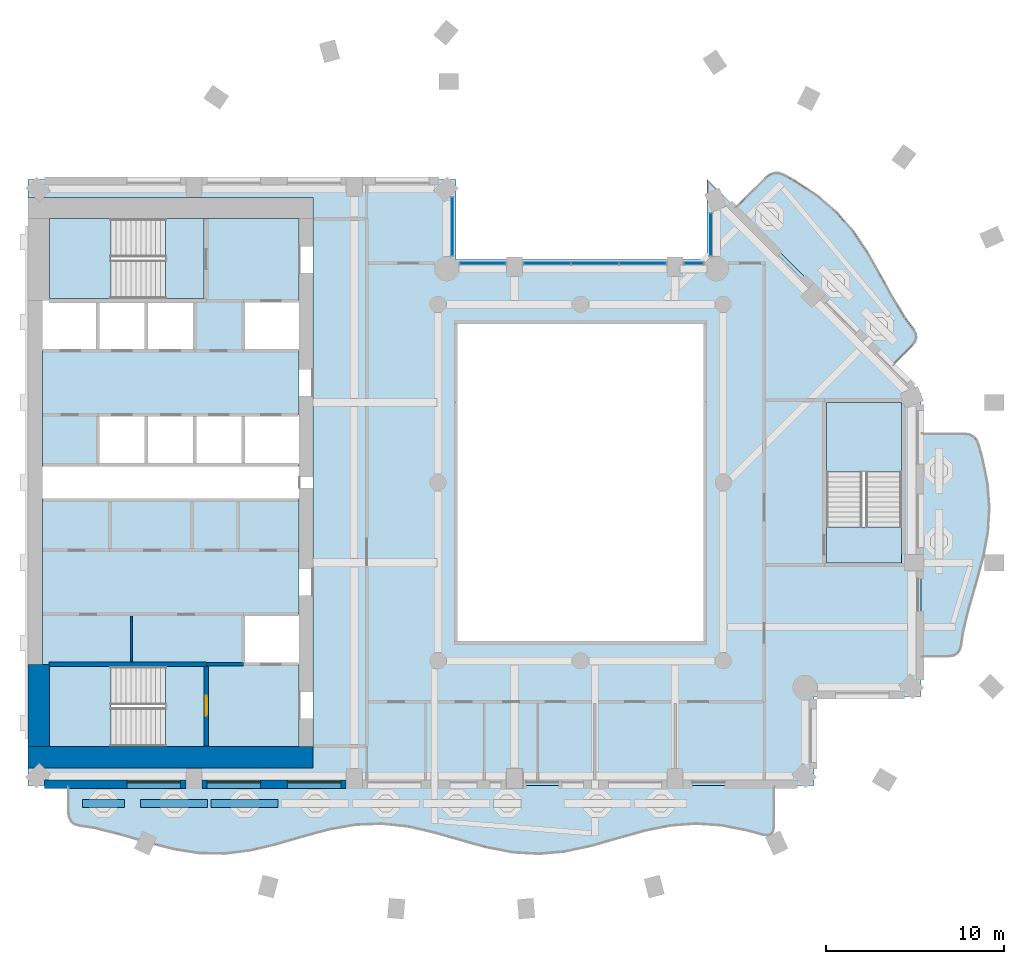
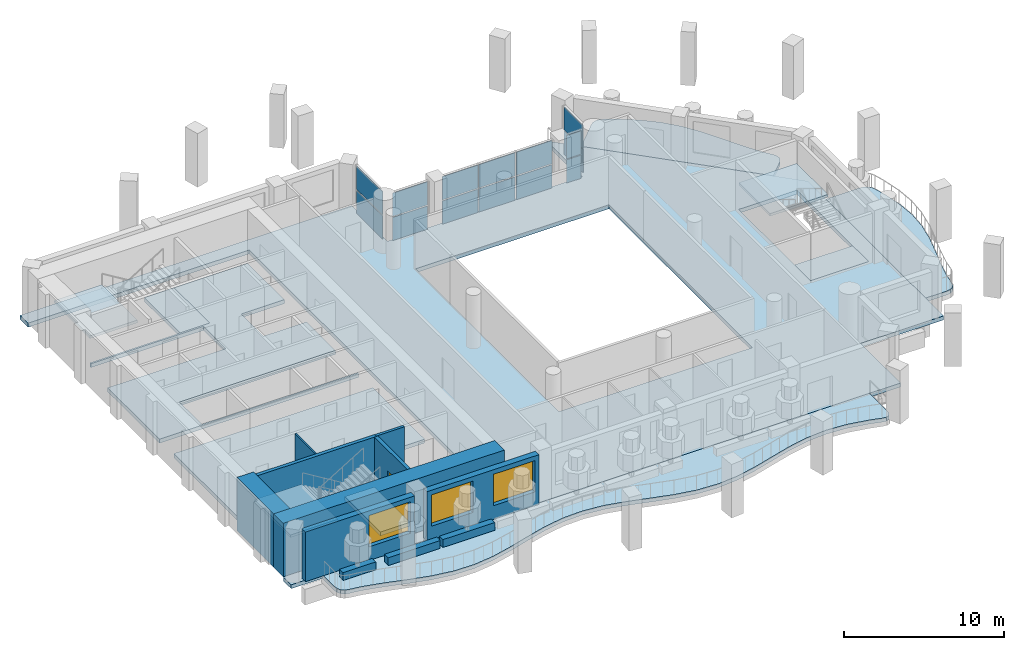
# One storey, part 3 of 15: 14 plates, 12 slabs, 11 walls, 3 windows, 1 door, 4 openings, 8 elements without a shape of their own.
"""IFC4 building model written with IfcOpenShell, lengths in metres."""

from ifc_helpers import new_model, si_unit, direction, frame, frame_2d, origin, origin_2d, place, context, subcontext, project, spatial, polyline, rectangle, outline, extrude, material, layer, layer_set, type_object, element, fill, aggregate, save


model = new_model("IFC4")

# Units and contexts
model_context = context("Model", 3, precision=1e-05, world=origin(), true_north=direction((0.0, 1.0)))
body_context = subcontext(model_context, "Body", "Model", "MODEL_VIEW")
ifc_project = project(units=[si_unit("LENGTHUNIT", "METRE"), si_unit("AREAUNIT", "SQUARE_METRE"), si_unit("VOLUMEUNIT", "CUBIC_METRE"), si_unit("PLANEANGLEUNIT", "RADIAN"), si_unit("MASSUNIT", "GRAM", prefix="KILO")], contexts=[model_context])

# Site, building, storey
site_placement = place(None, origin())
site = spatial("IfcSite", under=ifc_project, at=site_placement, CompositionType="ELEMENT")
building_placement = place(site_placement, origin())
building = spatial("IfcBuilding", under=site, at=building_placement, Name="Cypress Arch Tower", CompositionType="ELEMENT")
storey_placement = place(building_placement, frame((0.0, 0.0, 234.300048828125)))
storey = spatial("IfcBuildingStorey", under=building, at=storey_placement, Name="L52", CompositionType="ELEMENT", Elevation=234.300048828125)

# Slabs
ifc_material_1 = material(Name="Concrete C40/50", Category="concrete")
ifc_layer_1 = layer(ifc_material_1, 0.300048828125)
ifc_layer_set_1 = layer_set([ifc_layer_1], Name="Balcony slab BS300")
slab_type_1 = type_object("IfcSlabType", Name="Balcony slab BS300", PredefinedType="USERDEFINED", material=ifc_layer_set_1)
slab_1_placement = place(storey_placement, frame((0.0, 0.0, -0.300048828125)))
element("IfcSlab", 1, at=slab_1_placement, inside=storey, type_object=slab_type_1, Name="Balcony slab L52-B01", ObjectType="BALCONY SLAB", PredefinedType="USERDEFINED", context=body_context, shape_type="SweptSolid", body=[
    extrude(outline(polyline([(-27.75, -17.0), (-27.75, -18.4970703125), (-27.708740234375, -18.794677734375), (-27.5849609375, -19.021240234375), (-27.378662109375, -19.17626953125), (-27.090087890625, -19.259765625), (-26.283447265625, -19.376953125), (-24.816650390625, -19.745849609375), (-23.35009765625, -20.17626953125), (-21.88330078125, -20.557373046875), (-20.416748046875, -20.791748046875), (-18.949951171875, -20.8193359375), (-17.4833984375, -20.6328125), (-16.0166015625, -20.2802734375), (-14.550048828125, -19.85205078125), (-13.083251953125, -19.457763671875), (-11.61669921875, -19.19873046875), (-10.14990234375, -19.141357421875), (-8.683349609375, -19.30029296875), (-7.216552734375, -19.634765625), (-5.75, -20.05908203125), (-4.283447265625, -20.46435546875), (-2.816650390625, -20.746826171875), (-1.35009765625, -20.833740234375), (0.11669921875, -20.703125), (1.583251953125, -20.388427734375), (3.050048828125, -19.97021484375), (4.5166015625, -19.5556640625), (5.9833984375, -19.25146484375), (7.449951171875, -19.135009765625), (8.916748046875, -19.23681640625), (10.38330078125, -19.5302734375), (11.18994140625, -19.755859375), (11.478759765625, -19.7939453125), (11.68505859375, -19.72314453125), (11.808837890625, -19.54345703125), (11.85009765625, -19.255126953125), (11.85009765625, -17.0), (-27.75, -17.0)])), origin(), (0.0, 0.0, 1.0), 0.300048828125),
])
slab_2_placement = place(storey_placement, frame((0.0, 0.0, -0.300048828125)))
element("IfcSlab", 2, at=slab_2_placement, inside=storey, type_object=slab_type_1, Name="Balcony slab L52-B04", ObjectType="BALCONY SLAB", PredefinedType="USERDEFINED", context=body_context, shape_type="SweptSolid", body=[
    extrude(outline(polyline([(20.10009765625, -9.75), (21.632568359375, -9.75), (21.914306640625, -9.7109375), (22.12841796875, -9.59375), (22.2744140625, -9.3984375), (22.3525390625, -9.125), (22.461181640625, -8.361083984375), (22.802001953125, -6.97216796875), (23.208251953125, -5.583251953125), (23.5859375, -4.1943359375), (23.84814453125, -2.8056640625), (23.9345703125, -1.416748046875), (23.8251953125, -0.02783203125), (23.545166015625, 1.361083984375), (23.332763671875, 2.125), (23.21630859375, 2.3984375), (23.040283203125, 2.59375), (22.804931640625, 2.7109375), (22.51025390625, 2.75), (20.10009765625, 2.75), (20.10009765625, -9.75)])), origin(), (0.0, 0.0, 1.0), 0.300048828125),
])
slab_3_placement = place(storey_placement, frame((0.0, 0.0, -0.300048828125)))
element("IfcSlab", 3, at=slab_3_placement, inside=storey, type_object=slab_type_1, Name="Balcony slab L52-B05", ObjectType="BALCONY SLAB", PredefinedType="USERDEFINED", context=body_context, shape_type="SweptSolid", body=[
    extrude(outline(polyline([(18.509033203125, 6.591064453125), (19.59375, 7.67578125), (19.764892578125, 7.902099609375), (19.833251953125, 8.1357421875), (19.798583984375, 8.37646484375), (19.660888671875, 8.62451171875), (19.1982421875, 9.23974609375), (18.458740234375, 10.4599609375), (17.765380859375, 11.72607421875), (17.052490234375, 12.972900390625), (16.259033203125, 14.138671875), (15.342041015625, 15.18115234375), (14.287109375, 16.0859375), (13.111572265625, 16.869873046875), (12.42333984375, 17.259521484375), (12.1484375, 17.370361328125), (11.88671875, 17.38427734375), (11.63818359375, 17.301025390625), (11.40283203125, 17.120849609375), (9.69091796875, 15.408935546875), (18.509033203125, 6.591064453125)])), origin(), (0.0, 0.0, 1.0), 0.300048828125),
])
ifc_material_2 = material(Name="Concrete C40/50", Category="concrete")
ifc_layer_2 = layer(ifc_material_2, 0.300048828125)
ifc_layer_set_2 = layer_set([ifc_layer_2], Name="Core floor CF300")
slab_type_2 = type_object("IfcSlabType", Name="Core floor CF300", PredefinedType="FLOOR", material=ifc_layer_set_2)
slab_4_placement = place(storey_placement, frame((0.0, 0.0, -0.300048828125)))
element("IfcSlab", 4, at=slab_4_placement, inside=storey, type_object=slab_type_2, Name="Core floor", PredefinedType="FLOOR", context=body_context, shape_type="SweptSolid", body=[
    extrude(outline(polyline([(-28.800048828125, -10.199951171875), (-29.199951171875, -10.199951171875), (-29.199951171875, -0.89990234375), (-15.199951171875, -0.89990234375), (-14.800048828125, -0.89990234375), (-14.800048828125, -7.39990234375), (-15.199951171875, -7.39990234375), (-17.919921875, -7.39990234375), (-17.919921875, -10.199951171875), (-15.199951171875, -10.199951171875), (-14.800048828125, -10.199951171875), (-14.800048828125, -14.800048828125), (-15.199951171875, -14.800048828125), (-20.125, -14.800048828125), (-20.125, -10.324951171875), (-22.27490234375, -10.324951171875), (-28.800048828125, -10.324951171875), (-28.800048828125, -10.199951171875)])), origin(), (0.0, 0.0, 1.0), 0.300048828125),
])
slab_5_placement = place(storey_placement, frame((0.0, 0.0, -0.300048828125)))
element("IfcSlab", 5, at=slab_5_placement, inside=storey, type_object=slab_type_2, Name="Core floor", PredefinedType="FLOOR", context=body_context, shape_type="SweptSolid", body=[
    extrude(outline(polyline([(-22.27490234375, -10.324951171875), (-22.27490234375, -14.800048828125), (-20.125, -14.800048828125), (-20.125, -10.324951171875), (-22.27490234375, -10.324951171875)])), origin(), (0.0, 0.0, 1.0), 0.300048828125),
])
slab_6_placement = place(storey_placement, frame((0.0, 0.0, -0.300048828125)))
element("IfcSlab", 6, at=slab_6_placement, inside=storey, type_object=slab_type_2, Name="Core floor", PredefinedType="FLOOR", context=body_context, shape_type="SweptSolid", body=[
    extrude(outline(polyline([(-20.125, 14.800048828125), (-22.27490234375, 14.800048828125), (-22.27490234375, 10.324951171875), (-20.125, 10.324951171875), (-20.125, 14.800048828125)])), origin(), (0.0, 0.0, 1.0), 0.300048828125),
])
slab_7_placement = place(storey_placement, frame((0.0, 0.0, -0.300048828125)))
element("IfcSlab", 7, at=slab_7_placement, inside=storey, type_object=slab_type_2, Name="Stair floor landing", PredefinedType="FLOOR", context=body_context, shape_type="SweptSolid", body=[
    extrude(outline(polyline([(19.0, -4.5), (19.0, -2.5), (14.800048828125, -2.5), (14.800048828125, -4.5), (19.0, -4.5)])), origin(), (0.0, 0.0, 1.0), 0.300048828125),
])
slab_8_placement = place(storey_placement, frame((0.0, 0.0, -0.300048828125)))
element("IfcSlab", 8, at=slab_8_placement, inside=storey, type_object=slab_type_2, Name="Core floor", PredefinedType="FLOOR", context=body_context, shape_type="SweptSolid", body=[
    extrude(outline(polyline([(-20.639892578125, 7.39990234375), (-20.639892578125, 10.199951171875), (-23.360107421875, 10.199951171875), (-26.080078125, 10.199951171875), (-28.800048828125, 10.199951171875), (-28.800048828125, 10.324951171875), (-22.27490234375, 10.324951171875), (-20.125, 10.324951171875), (-20.125, 14.800048828125), (-15.199951171875, 14.800048828125), (-14.800048828125, 14.800048828125), (-14.800048828125, 10.199951171875), (-15.199951171875, 10.199951171875), (-17.919921875, 10.199951171875), (-17.919921875, 7.39990234375), (-15.199951171875, 7.39990234375), (-14.800048828125, 7.39990234375), (-14.800048828125, 3.800048828125), (-15.199951171875, 3.800048828125), (-17.919921875, 3.800048828125), (-20.639892578125, 3.800048828125), (-23.360107421875, 3.800048828125), (-26.080078125, 3.800048828125), (-26.080078125, 1.5), (-26.080078125, 1.5), (-26.080078125, 1.0), (-25.679931640625, 1.0), (-23.360107421875, 1.0), (-20.639892578125, 1.0), (-17.919921875, 1.0), (-15.199951171875, 1.0), (-14.800048828125, 1.0), (-14.800048828125, 0.89990234375), (-15.199951171875, 0.89990234375), (-25.679931640625, 0.89990234375), (-26.47998046875, 0.89990234375), (-29.199951171875, 0.89990234375), (-29.199951171875, 1.5), (-29.199951171875, 7.39990234375), (-26.080078125, 7.39990234375), (-23.360107421875, 7.39990234375), (-20.639892578125, 7.39990234375)])), origin(), (0.0, 0.0, 1.0), 0.300048828125),
])

# Curtain wall, plates
ifc_material_3 = material(Name="Anodised aluminium, bronze finish, clear laminated double glazing", Category="aluminium")
curtain_wall_type = type_object("IfcCurtainWallType", Name="Curtain wall CW7 slot glazing", PredefinedType="NOTDEFINED", material=ifc_material_3)
curtain_wall_1_placement = place(storey_placement, origin())
curtain_wall_1 = element("IfcCurtainWall", 9, at=curtain_wall_1_placement, inside=storey, type_object=curtain_wall_type, Name="Curtain wall L52 slot B06.0", PredefinedType="NOTDEFINED")
ifc_material_4 = material(Name="Clear laminated double glazing", Category="glass")
ifc_layer_3 = layer(ifc_material_4, 0.0439453125)
ifc_layer_set_3 = layer_set([ifc_layer_3], Name="Glass panel CW7 44")
plate_type = type_object("IfcPlateType", Name="Glass panel CW7 44", PredefinedType="CURTAIN_PANEL", material=ifc_layer_set_3)
plate_1_placement = place(storey_placement, frame((8.300048828125, 13.912353515625, 0.0849609375), z_axis=(0.0, 0.0, 1.0), x_axis=(0.0, -1.0, 0.0)))
plate_1 = element("IfcPlate", 10, at=plate_1_placement, type_object=plate_type, Name="CW7 panel 1.1", PredefinedType="CURTAIN_PANEL", context=body_context, shape_type="SweptSolid", body=[
    extrude(rectangle(XDim=2.345458984375, YDim=0.0439453125, at=origin_2d()), origin(), (0.0, 0.0, 1.0), 1.7724609375),
])
plate_2_placement = place(storey_placement, frame((8.300048828125, 13.912353515625, 1.9423828125), z_axis=(0.0, 0.0, 1.0), x_axis=(0.0, -1.0, 0.0)))
plate_2 = element("IfcPlate", 11, at=plate_2_placement, type_object=plate_type, Name="CW7 panel 1.2", PredefinedType="CURTAIN_PANEL", context=body_context, shape_type="SweptSolid", body=[
    extrude(rectangle(XDim=2.345458984375, YDim=0.0439453125, at=origin_2d()), origin(), (0.0, 0.0, 1.0), 1.7724609375),
])
aggregate(curtain_wall_1, [plate_1, plate_2])

curtain_wall_2_placement = place(storey_placement, origin())
curtain_wall_2 = element("IfcCurtainWall", 12, at=curtain_wall_2_placement, inside=storey, type_object=curtain_wall_type, Name="Curtain wall L52 slot B07.0", PredefinedType="NOTDEFINED")
plate_3_placement = place(storey_placement, frame((7.34765625, 12.300048828125, 0.0849609375), z_axis=(0.0, 0.0, 1.0), x_axis=(-1.0, 0.0, 0.0)))
plate_3 = element("IfcPlate", 13, at=plate_3_placement, type_object=plate_type, Name="CW7 panel 1.1", PredefinedType="CURTAIN_PANEL", context=body_context, shape_type="SweptSolid", body=[
    extrude(rectangle(XDim=1.025390625, YDim=0.0439453125, at=origin_2d()), origin(), (0.0, 0.0, 1.0), 1.7724609375),
])
plate_4_placement = place(storey_placement, frame((7.34765625, 12.300048828125, 1.9423828125), z_axis=(0.0, 0.0, 1.0), x_axis=(-1.0, 0.0, 0.0)))
plate_4 = element("IfcPlate", 14, at=plate_4_placement, type_object=plate_type, Name="CW7 panel 1.2", PredefinedType="CURTAIN_PANEL", context=body_context, shape_type="SweptSolid", body=[
    extrude(rectangle(XDim=1.025390625, YDim=0.0439453125, at=origin_2d()), origin(), (0.0, 0.0, 1.0), 1.7724609375),
])
aggregate(curtain_wall_2, [plate_3, plate_4])

curtain_wall_3_placement = place(storey_placement, origin())
curtain_wall_3 = element("IfcCurtainWall", 15, at=curtain_wall_3_placement, inside=storey, type_object=curtain_wall_type, Name="Curtain wall L52 slot B07.1", PredefinedType="NOTDEFINED")
plate_5_placement = place(storey_placement, frame((4.478759765625, 12.300048828125, 0.0849609375), z_axis=(0.0, 0.0, 1.0), x_axis=(-1.0, 0.0, 0.0)))
plate_5 = element("IfcPlate", 16, at=plate_5_placement, type_object=plate_type, Name="CW7 panel 1.1", PredefinedType="CURTAIN_PANEL", context=body_context, shape_type="SweptSolid", body=[
    extrude(rectangle(XDim=2.572509765625, YDim=0.0439453125, at=origin_2d()), origin(), (0.0, 0.0, 1.0), 1.7724609375),
])
plate_6_placement = place(storey_placement, frame((4.478759765625, 12.300048828125, 1.9423828125), z_axis=(0.0, 0.0, 1.0), x_axis=(-1.0, 0.0, 0.0)))
plate_6 = element("IfcPlate", 17, at=plate_6_placement, type_object=plate_type, Name="CW7 panel 1.2", PredefinedType="CURTAIN_PANEL", context=body_context, shape_type="SweptSolid", body=[
    extrude(rectangle(XDim=2.572509765625, YDim=0.0439453125, at=origin_2d()), origin(), (0.0, 0.0, 1.0), 1.7724609375),
])
plate_7_placement = place(storey_placement, frame((1.800048828125, 12.300048828125, 0.0849609375), z_axis=(0.0, 0.0, 1.0), x_axis=(-1.0, 0.0, 0.0)))
plate_7 = element("IfcPlate", 18, at=plate_7_placement, type_object=plate_type, Name="CW7 panel 2.1", PredefinedType="CURTAIN_PANEL", context=body_context, shape_type="SweptSolid", body=[
    extrude(rectangle(XDim=2.614990234375, YDim=0.0439453125, at=origin_2d()), origin(), (0.0, 0.0, 1.0), 1.7724609375),
])
plate_8_placement = place(storey_placement, frame((1.800048828125, 12.300048828125, 1.9423828125), z_axis=(0.0, 0.0, 1.0), x_axis=(-1.0, 0.0, 0.0)))
plate_8 = element("IfcPlate", 19, at=plate_8_placement, type_object=plate_type, Name="CW7 panel 2.2", PredefinedType="CURTAIN_PANEL", context=body_context, shape_type="SweptSolid", body=[
    extrude(rectangle(XDim=2.614990234375, YDim=0.0439453125, at=origin_2d()), origin(), (0.0, 0.0, 1.0), 1.7724609375),
])
plate_9_placement = place(storey_placement, frame((-0.878662109375, 12.300048828125, 0.0849609375), z_axis=(0.0, 0.0, 1.0), x_axis=(-1.0, 0.0, 0.0)))
plate_9 = element("IfcPlate", 20, at=plate_9_placement, type_object=plate_type, Name="CW7 panel 3.1", PredefinedType="CURTAIN_PANEL", context=body_context, shape_type="SweptSolid", body=[
    extrude(rectangle(XDim=2.572509765625, YDim=0.0439453125, at=origin_2d()), origin(), (0.0, 0.0, 1.0), 1.7724609375),
])
plate_10_placement = place(storey_placement, frame((-0.878662109375, 12.300048828125, 1.9423828125), z_axis=(0.0, 0.0, 1.0), x_axis=(-1.0, 0.0, 0.0)))
plate_10 = element("IfcPlate", 21, at=plate_10_placement, type_object=plate_type, Name="CW7 panel 3.2", PredefinedType="CURTAIN_PANEL", context=body_context, shape_type="SweptSolid", body=[
    extrude(rectangle(XDim=2.572509765625, YDim=0.0439453125, at=origin_2d()), origin(), (0.0, 0.0, 1.0), 1.7724609375),
])
aggregate(curtain_wall_3, [plate_5, plate_6, plate_7, plate_8, plate_9, plate_10])

curtain_wall_4_placement = place(storey_placement, origin())
curtain_wall_4 = element("IfcCurtainWall", 22, at=curtain_wall_4_placement, inside=storey, type_object=curtain_wall_type, Name="Curtain wall L52 slot B07.2", PredefinedType="NOTDEFINED")
plate_11_placement = place(storey_placement, frame((-4.497802734375, 12.300048828125, 0.0849609375), z_axis=(0.0, 0.0, 1.0), x_axis=(-1.0, 0.0, 0.0)))
plate_11 = element("IfcPlate", 23, at=plate_11_placement, type_object=plate_type, Name="CW7 panel 1.1", PredefinedType="CURTAIN_PANEL", context=body_context, shape_type="SweptSolid", body=[
    extrude(rectangle(XDim=2.525390625, YDim=0.0439453125, at=origin_2d()), origin(), (0.0, 0.0, 1.0), 1.7724609375),
])
plate_12_placement = place(storey_placement, frame((-4.497802734375, 12.300048828125, 1.9423828125), z_axis=(0.0, 0.0, 1.0), x_axis=(-1.0, 0.0, 0.0)))
plate_12 = element("IfcPlate", 24, at=plate_12_placement, type_object=plate_type, Name="CW7 panel 1.2", PredefinedType="CURTAIN_PANEL", context=body_context, shape_type="SweptSolid", body=[
    extrude(rectangle(XDim=2.525390625, YDim=0.0439453125, at=origin_2d()), origin(), (0.0, 0.0, 1.0), 1.7724609375),
])
aggregate(curtain_wall_4, [plate_11, plate_12])

curtain_wall_5_placement = place(storey_placement, origin())
curtain_wall_5 = element("IfcCurtainWall", 25, at=curtain_wall_5_placement, inside=storey, type_object=curtain_wall_type, Name="Curtain wall L52 slot B08.0", PredefinedType="NOTDEFINED")
plate_13_placement = place(storey_placement, frame((-6.199951171875, 14.359130859375, 0.0849609375), z_axis=(0.0, 0.0, 1.0), x_axis=(0.0, 1.0, 0.0)))
plate_13 = element("IfcPlate", 26, at=plate_13_placement, type_object=plate_type, Name="CW7 panel 1.1", PredefinedType="CURTAIN_PANEL", context=body_context, shape_type="SweptSolid", body=[
    extrude(rectangle(XDim=3.239013671875, YDim=0.0439453125, at=origin_2d()), origin(), (0.0, 0.0, 1.0), 1.7724609375),
])
plate_14_placement = place(storey_placement, frame((-6.199951171875, 14.359130859375, 1.9423828125), z_axis=(0.0, 0.0, 1.0), x_axis=(0.0, 1.0, 0.0)))
plate_14 = element("IfcPlate", 27, at=plate_14_placement, type_object=plate_type, Name="CW7 panel 1.2", PredefinedType="CURTAIN_PANEL", context=body_context, shape_type="SweptSolid", body=[
    extrude(rectangle(XDim=3.239013671875, YDim=0.0439453125, at=origin_2d()), origin(), (0.0, 0.0, 1.0), 1.7724609375),
])
aggregate(curtain_wall_5, [plate_13, plate_14])

# Slab
ifc_material_5 = material(Name="Concrete C40/50", Category="concrete")
ifc_layer_4 = layer(ifc_material_5, 0.300048828125)
ifc_layer_set_4 = layer_set([ifc_layer_4], Name="PT flat slab 300 Concrete C40/50")
slab_type_3 = type_object("IfcSlabType", Name="PT flat slab 300 Concrete C40/50", PredefinedType="FLOOR", material=ifc_layer_set_4)
slab_9_placement = place(storey_placement, frame((0.0, 0.0, -0.300048828125)))
element("IfcSlab", 28, at=slab_9_placement, inside=storey, type_object=slab_type_3, Name="Floor slab L52", PredefinedType="FLOOR", context=body_context, shape_type="SweptSolid", body=[
    extrude(outline(polyline([(-30.0, 17.0), (-6.0, 17.0), (-6.0, 12.5), (8.10009765625, 12.5), (8.10009765625, 17.0), (20.10009765625, 5.0), (20.10009765625, -12.0), (14.10009765625, -12.0), (14.10009765625, -17.0), (-30.0, -17.0), (-30.0, -16.0), (-14.0, -16.0), (-14.0, 16.0), (-30.0, 16.0), (-30.0, 17.0)]), holes=[polyline([(-6.0, -9.0), (8.0, -9.0), (8.0, 9.0), (-6.0, 9.0), (-6.0, -9.0)]), polyline([(14.800048828125, -4.5), (19.0, -4.5), (19.0, 4.5), (14.800048828125, 4.5), (14.800048828125, -4.5)])]), origin(), (0.0, 0.0, 1.0), 0.300048828125),
])

# Stair, slab
ifc_material_6 = material(Name="Concrete C40/50", Category="concrete")
stair_type_1 = type_object("IfcStairType", Name="Exit stair ES1708-215", PredefinedType="HALF_TURN_STAIR", material=ifc_material_6)
stair_1_placement = place(storey_placement, origin())
stair_1 = element("IfcStair", 29, at=stair_1_placement, inside=storey, type_object=stair_type_1, Name="L52 Exit stair A", PredefinedType="HALF_TURN_STAIR")
ifc_material_7 = material(Name="Concrete C40/50", Category="concrete")
ifc_layer_5 = layer(ifc_material_7, 0.199951171875)
ifc_layer_set_5 = layer_set([ifc_layer_5], Name="Stair landing SL200")
slab_type_4 = type_object("IfcSlabType", Name="Stair landing SL200", PredefinedType="LANDING", material=ifc_layer_set_5)
slab_10_placement = place(storey_placement, frame((0.0, 0.0, 1.849853515625)))
slab_10 = element("IfcSlab", 30, at=slab_10_placement, type_object=slab_type_4, Name="A landing 1", PredefinedType="LANDING", context=body_context, shape_type="SweptSolid", body=[
    extrude(outline(polyline([(-25.35498046875, -10.324951171875), (-28.800048828125, -10.324951171875), (-28.800048828125, -14.800048828125), (-25.35498046875, -14.800048828125), (-25.35498046875, -10.324951171875)])), origin(), (0.0, 0.0, 1.0), 0.2001953125),
])
aggregate(stair_1, [slab_10])

stair_2_placement = place(storey_placement, origin())
stair_2 = element("IfcStair", 31, at=stair_2_placement, inside=storey, type_object=stair_type_1, Name="L52 Exit stair B", PredefinedType="HALF_TURN_STAIR")
slab_11_placement = place(storey_placement, frame((0.0, 0.0, 1.849853515625)))
slab_11 = element("IfcSlab", 32, at=slab_11_placement, type_object=slab_type_4, Name="B landing 1", PredefinedType="LANDING", context=body_context, shape_type="SweptSolid", body=[
    extrude(outline(polyline([(-25.35498046875, 14.800048828125), (-28.800048828125, 14.800048828125), (-28.800048828125, 10.324951171875), (-25.35498046875, 10.324951171875), (-25.35498046875, 14.800048828125)])), origin(), (0.0, 0.0, 1.0), 0.2001953125),
])
aggregate(stair_2, [slab_11])

ifc_material_8 = material(Name="Concrete C40/50", Category="concrete")
stair_type_2 = type_object("IfcStairType", Name="Exit stair ES1708-200", PredefinedType="HALF_TURN_STAIR", material=ifc_material_8)
stair_3_placement = place(storey_placement, origin())
stair_3 = element("IfcStair", 33, at=stair_3_placement, inside=storey, type_object=stair_type_2, Name="L52 Exit stair C", PredefinedType="HALF_TURN_STAIR")
slab_12_placement = place(storey_placement, frame((0.0, 0.0, 1.849853515625)))
slab_12 = element("IfcSlab", 34, at=slab_12_placement, type_object=slab_type_4, Name="C landing 1", PredefinedType="LANDING", context=body_context, shape_type="SweptSolid", body=[
    extrude(outline(polyline([(19.0, 0.580078125), (19.0, 4.5), (14.800048828125, 4.5), (14.800048828125, 0.580078125), (19.0, 0.580078125)])), origin(), (0.0, 0.0, 1.0), 0.2001953125),
])
aggregate(stair_3, [slab_12])

# Walls
ifc_material_9 = material(Name="Concrete C40/50, waterproofed", Category="concrete")
ifc_layer_6 = layer(ifc_material_9, 0.449951171875)
ifc_layer_set_6 = layer_set([ifc_layer_6], Name="Balcony planter wall PW450")
wall_type_1 = type_object("IfcWallType", Name="Balcony planter wall PW450", PredefinedType="SOLIDWALL", material=ifc_layer_set_6)
wall_1_placement = place(storey_placement, frame((-26.949951171875, -18.0, 0.0), z_axis=(0.0, 0.0, 1.0), x_axis=(1.0, 0.0, 0.0)))
element("IfcWall", 35, at=wall_1_placement, inside=storey, type_object=wall_type_1, Name="Balcony planter wall L52-B01.1", PredefinedType="SOLIDWALL", context=body_context, shape_type="SweptSolid", body=[
    extrude(rectangle(XDim=2.35986328125, YDim=0.449951171875, at=frame_2d((1.179931640625, 0.0))), origin(), (0.0, 0.0, 1.0), 0.599853515625),
])
for number, where, z_axis, x_axis, name in (
    (36, (-23.68994140625, -18.0, 0.0), (0.0, 0.0, 1.0), (1.0, 0.0, 0.0), "Balcony planter wall L52-B01.2"),
    (37, (-19.72998046875, -18.0, 0.0), (0.0, 0.0, 1.0), (1.0, 0.0, 0.0), "Balcony planter wall L52-B01.3"),
):
    element("IfcWall", number, at=place(storey_placement, frame(where, z_axis=z_axis, x_axis=x_axis)), inside=storey, type_object=wall_type_1, Name=name, PredefinedType="SOLIDWALL", context=body_context, shape_type="SweptSolid", body=[
        extrude(rectangle(XDim=3.760009765625, YDim=0.449951171875, at=frame_2d((1.8798828125, 0.0))), origin(), (0.0, 0.0, 1.0), 0.599853515625),
    ])

# Wall, opening, window
ifc_material_10 = material(Name="Brick (red buff blend)", Category="masonry")
ifc_layer_7 = layer(ifc_material_10, 0.449951171875)
ifc_layer_set_7 = layer_set([ifc_layer_7], Name="Brick pier and spandrel wall BW450")
wall_type_2 = type_object("IfcWallType", Name="Brick pier and spandrel wall BW450", PredefinedType="SOLIDWALL", material=ifc_layer_set_7)
wall_2_placement = place(storey_placement, frame((-29.063720703125, -16.925048828125, 0.0), z_axis=(0.0, 0.0, 1.0), x_axis=(1.0, 0.0, 0.0)))
wall_2 = element("IfcWall", 38, at=wall_2_placement, inside=storey, type_object=wall_type_2, Name="Brick wall L52 B01.0", PredefinedType="SOLIDWALL", context=body_context, shape_type="SweptSolid", body=[
    extrude(rectangle(XDim=7.913818359375, YDim=0.449951171875, at=frame_2d((3.95703125, 0.0))), origin(), (0.0, 0.0, 1.0), 3.800048828125),
])
opening_1_placement = place(wall_2_placement, frame((4.613525390625, 0.0, 1.050048828125)))
opening_1 = element("IfcOpeningElement", 39, at=opening_1_placement, cuts=wall_2, Name="Opening W300OD", PredefinedType="OPENING", context=body_context, shape_type="SweptSolid", body=[
    extrude(rectangle(XDim=3.0, YDim=2.39990234375, at=frame_2d((1.5, 1.199951171875))), frame((0.0, 0.23486328125, 0.0), z_axis=(0.0, -1.0, 0.0), x_axis=(1.0, 0.0, 0.0)), (0.0, 0.0, 1.0), 0.469970703125),
])
ifc_material_11 = material(Name="Anodised aluminium, bronze finish, laminated low-emissivity double glazing, large-missile impact rated", Category="aluminium")
window_type = type_object("IfcWindowType", Name="Window Office 3000x2400 debris-rated", PartitioningType="SINGLE_PANEL", PredefinedType="WINDOW", material=ifc_material_11)
window_1_placement = place(opening_1_placement, origin())
window_1 = element("IfcWindow", 40, at=window_1_placement, inside=storey, type_object=window_type, Name="Window L52 B01.0.2", OverallHeight=2.39990234375, OverallWidth=3.0, PartitioningType="SINGLE_PANEL", PredefinedType="WINDOW", context=body_context, shape_type="SweptSolid", body=[
    extrude(rectangle(XDim=3.0, YDim=2.39990234375, at=frame_2d((1.5, 1.199951171875))), frame((0.0, 0.135009765625, 0.0), z_axis=(0.0, -1.0, 0.0), x_axis=(1.0, 0.0, 0.0)), (0.0, 0.0, 1.0), 0.06005859375),
])
fill(opening_1, window_1)

# Wall, openings, windows
wall_3_placement = place(storey_placement, frame((-20.25, -16.925048828125, 0.0), z_axis=(0.0, 0.0, 1.0), x_axis=(1.0, 0.0, 0.0)))
wall_3 = element("IfcWall", 41, at=wall_3_placement, inside=storey, type_object=wall_type_2, Name="Brick wall L52 B01.1", PredefinedType="SOLIDWALL", context=body_context, shape_type="SweptSolid", body=[
    extrude(rectangle(XDim=8.10009765625, YDim=0.449951171875, at=frame_2d((4.050048828125, 0.0))), origin(), (0.0, 0.0, 1.0), 3.800048828125),
])
opening_2_placement = place(wall_3_placement, frame((0.300048828125, 0.0, 1.050048828125)))
opening_2 = element("IfcOpeningElement", 42, at=opening_2_placement, cuts=wall_3, Name="Opening W300OD", PredefinedType="OPENING", context=body_context, shape_type="SweptSolid", body=[
    extrude(rectangle(XDim=3.0, YDim=2.39990234375, at=frame_2d((1.5, 1.199951171875))), frame((0.0, 0.23486328125, 0.0), z_axis=(0.0, -1.0, 0.0), x_axis=(1.0, 0.0, 0.0)), (0.0, 0.0, 1.0), 0.469970703125),
])
opening_3_placement = place(wall_3_placement, frame((4.800048828125, 0.0, 1.050048828125)))
opening_3 = element("IfcOpeningElement", 43, at=opening_3_placement, cuts=wall_3, Name="Opening W300OD", PredefinedType="OPENING", context=body_context, shape_type="SweptSolid", body=[
    extrude(rectangle(XDim=3.0, YDim=2.39990234375, at=frame_2d((1.5, 1.199951171875))), frame((0.0, 0.23486328125, 0.0), z_axis=(0.0, -1.0, 0.0), x_axis=(1.0, 0.0, 0.0)), (0.0, 0.0, 1.0), 0.469970703125),
])
window_2_placement = place(opening_2_placement, origin())
window_2 = element("IfcWindow", 44, at=window_2_placement, inside=storey, type_object=window_type, Name="Window L52 B01.1.1", OverallHeight=2.39990234375, OverallWidth=3.0, PartitioningType="SINGLE_PANEL", PredefinedType="WINDOW", context=body_context, shape_type="SweptSolid", body=[
    extrude(rectangle(XDim=3.0, YDim=2.39990234375, at=frame_2d((1.5, 1.199951171875))), frame((0.0, 0.135009765625, 0.0), z_axis=(0.0, -1.0, 0.0), x_axis=(1.0, 0.0, 0.0)), (0.0, 0.0, 1.0), 0.06005859375),
])
fill(opening_2, window_2)
window_3_placement = place(opening_3_placement, origin())
window_3 = element("IfcWindow", 45, at=window_3_placement, inside=storey, type_object=window_type, Name="Window L52 B01.1.2", OverallHeight=2.39990234375, OverallWidth=3.0, PartitioningType="SINGLE_PANEL", PredefinedType="WINDOW", context=body_context, shape_type="SweptSolid", body=[
    extrude(rectangle(XDim=3.0, YDim=2.39990234375, at=frame_2d((1.5, 1.199951171875))), frame((0.0, 0.135009765625, 0.0), z_axis=(0.0, -1.0, 0.0), x_axis=(1.0, 0.0, 0.0)), (0.0, 0.0, 1.0), 0.06005859375),
])
fill(opening_3, window_3)

# Walls
ifc_material_12 = material(Name="Concrete C70/85", Category="concrete")
ifc_layer_8 = layer(ifc_material_12, 1.199951171875)
ifc_layer_set_8 = layer_set([ifc_layer_8], Name="Core wall CW1200 C70/85")
wall_type_3 = type_object("IfcWallType", Name="Core wall CW1200 C70/85", PredefinedType="SHEAR", material=ifc_layer_set_8)
wall_4_placement = place(storey_placement, frame((-30.0, -15.39990234375, 0.0), z_axis=(0.0, 0.0, 1.0), x_axis=(1.0, 0.0, 0.0)))
element("IfcWall", 46, at=wall_4_placement, inside=storey, type_object=wall_type_3, Name="Core wall", PredefinedType="SHEAR", context=body_context, shape_type="SweptSolid", body=[
    extrude(rectangle(XDim=16.0, YDim=1.199951171875, at=frame_2d((8.0, 0.0))), origin(), (0.0, 0.0, 1.0), 4.099853515625),
])
wall_5_placement = place(storey_placement, frame((-29.39990234375, -14.800048828125, 0.0), z_axis=(0.0, 0.0, 1.0), x_axis=(0.0, 1.0, 0.0)))
element("IfcWall", 47, at=wall_5_placement, inside=storey, type_object=wall_type_3, Name="Core wall", PredefinedType="SHEAR", context=body_context, shape_type="SweptSolid", body=[
    extrude(rectangle(XDim=4.60009765625, YDim=1.199951171875, at=frame_2d((2.300048828125, 0.0))), origin(), (0.0, 0.0, 1.0), 4.099853515625),
])
ifc_material_13 = material(Name="Concrete blockwork, plastered, rated", Category="masonry")
ifc_layer_9 = layer(ifc_material_13, 0.199951171875)
ifc_layer_set_9 = layer_set([ifc_layer_9], Name="Corridor wall FW200")
wall_type_4 = type_object("IfcWallType", Name="Corridor wall FW200", PredefinedType="PARTITIONING", material=ifc_layer_set_9)
wall_6_placement = place(storey_placement, frame((-20.0, -10.199951171875, 0.0), z_axis=(0.0, 0.0, 1.0), x_axis=(1.0, 0.0, 0.0)))
element("IfcWall", 48, at=wall_6_placement, inside=storey, type_object=wall_type_4, Name="Corridor wall", PredefinedType="PARTITIONING", context=body_context, shape_type="SweptSolid", body=[
    extrude(rectangle(XDim=2.080078125, YDim=0.199951171875, at=frame_2d((1.0400390625, 0.0))), origin(), (0.0, 0.0, 1.0), 3.800048828125),
])
ifc_material_14 = material(Name="Concrete C50/60", Category="concrete")
ifc_layer_10 = layer(ifc_material_14, 0.25)
ifc_layer_set_10 = layer_set([ifc_layer_10], Name="Stair enclosure wall SW250")
wall_type_5 = type_object("IfcWallType", Name="Stair enclosure wall SW250", PredefinedType="SHEAR", material=ifc_layer_set_10)
wall_7_placement = place(storey_placement, frame((-28.81005859375, -10.199951171875, 0.0), z_axis=(0.0, 0.0, 1.0), x_axis=(1.0, 0.0, 0.0)))
element("IfcWall", 49, at=wall_7_placement, inside=storey, type_object=wall_type_5, Name="Stair enclosure wall", PredefinedType="SHEAR", context=body_context, shape_type="SweptSolid", body=[
    extrude(rectangle(XDim=8.81005859375, YDim=0.25, at=frame_2d((4.405029296875, 0.0))), origin(), (0.0, 0.0, 1.0), 3.800048828125),
])

# Wall, opening, door
wall_8_placement = place(storey_placement, frame((-20.0, -14.77001953125, 0.0), z_axis=(0.0, 0.0, 1.0), x_axis=(0.0, 1.0, 0.0)))
wall_8 = element("IfcWall", 50, at=wall_8_placement, inside=storey, type_object=wall_type_5, Name="Stair enclosure wall", PredefinedType="SHEAR", context=body_context, shape_type="SweptSolid", body=[
    extrude(rectangle(XDim=4.445068359375, YDim=0.25, at=frame_2d((2.22265625, 0.0))), origin(), (0.0, 0.0, 1.0), 3.800048828125),
])
opening_4_placement = place(wall_8_placement, frame((1.699951171875, 0.0, 0.0)))
opening_4 = element("IfcOpeningElement", 51, at=opening_4_placement, cuts=wall_8, Name="Opening D06", PredefinedType="OPENING", context=body_context, shape_type="SweptSolid", body=[
    extrude(rectangle(XDim=1.10009765625, YDim=2.199951171875, at=frame_2d((0.550048828125, 1.10009765625))), frame((0.0, 0.135009765625, 0.0), z_axis=(0.0, -1.0, 0.0), x_axis=(1.0, 0.0, 0.0)), (0.0, 0.0, 1.0), 0.27001953125),
])
ifc_material_15 = material(Name="Steel door, fire resisting, panic bar", Category="steel")
door_type = type_object("IfcDoorType", Name="Stair door D06 1100x2200", OperationType="SINGLE_SWING_LEFT", PredefinedType="DOOR", material=ifc_material_15)
door_placement = place(opening_4_placement, origin())
door = element("IfcDoor", 52, at=door_placement, inside=storey, type_object=door_type, Name="Stair door", OperationType="SINGLE_SWING_RIGHT", OverallHeight=2.199951171875, OverallWidth=1.10009765625, PredefinedType="DOOR", context=body_context, shape_type="SweptSolid", body=[
    extrude(rectangle(XDim=1.10009765625, YDim=2.199951171875, at=frame_2d((0.550048828125, 1.10009765625))), frame((0.0, 0.02490234375, 0.0), z_axis=(0.0, -1.0, 0.0), x_axis=(1.0, 0.0, 0.0)), (0.0, 0.0, 1.0), 0.050048828125),
])
fill(opening_4, door)

# Wall
ifc_material_16 = material(Name="Moisture resistant board on steel studs, tiled", Category="steel")
ifc_layer_11 = layer(ifc_material_16, 0.10009765625)
ifc_layer_set_11 = layer_set([ifc_layer_11], Name="Wet wall PW100")
wall_type_6 = type_object("IfcWallType", Name="Wet wall PW100", PredefinedType="PARTITIONING", material=ifc_layer_set_11)
wall_9_placement = place(storey_placement, frame((-24.199951171875, -10.074951171875, 0.0), z_axis=(0.0, 0.0, 1.0), x_axis=(0.0, 1.0, 0.0)))
element("IfcWall", 53, at=wall_9_placement, inside=storey, type_object=wall_type_6, Name="Wet wall", PredefinedType="PARTITIONING", context=body_context, shape_type="SweptSolid", body=[
    extrude(rectangle(XDim=2.574951171875, YDim=0.10009765625, at=frame_2d((1.28759765625, 0.0))), origin(), (0.0, 0.0, 1.0), 3.800048828125),
])

save(model, "model.ifc")
